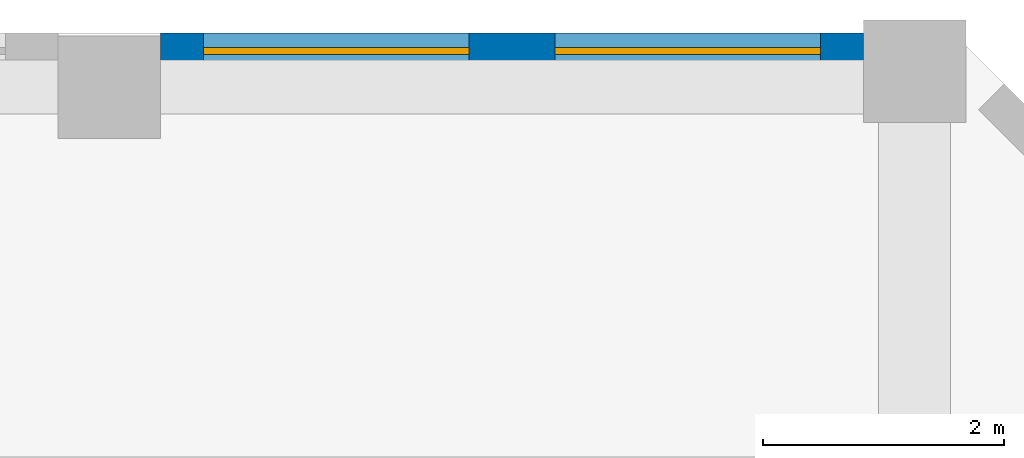
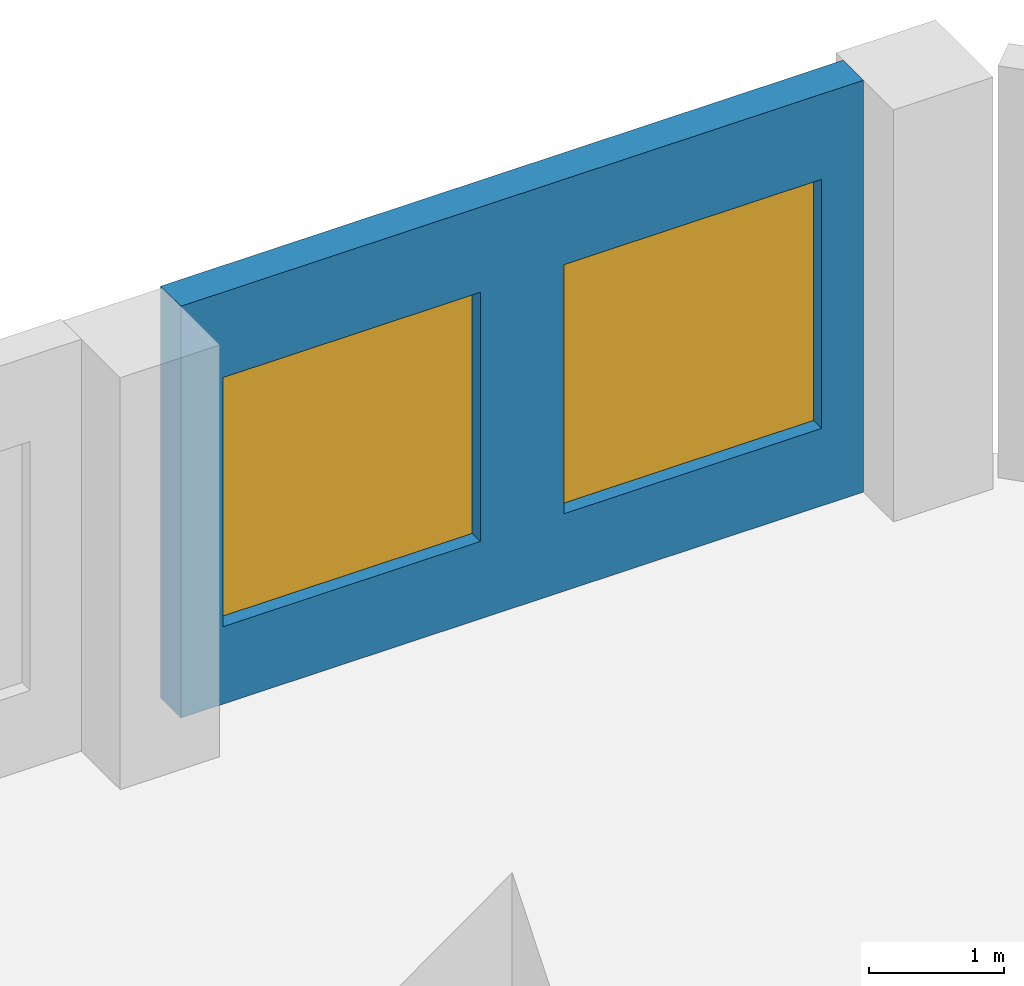
# One storey, part 16 of 25: 2 windows, 1 wall, 2 openings.
"""IFC4 building model written with IfcOpenShell, lengths in metres."""

from ifc_helpers import new_model, si_unit, direction, frame, frame_2d, origin, place, context, subcontext, project, spatial, rectangle, extrude, source, transform, mapped, material, layer, layer_set, type_object, element, fill, save


model = new_model("IFC4")

# Units and contexts
model_context = context("Model", 3, precision=1e-05, world=origin(), true_north=direction((0.0, 1.0)))
body_context = subcontext(model_context, "Body", "Model", "MODEL_VIEW")
ifc_project = project(units=[si_unit("LENGTHUNIT", "METRE"), si_unit("AREAUNIT", "SQUARE_METRE"), si_unit("VOLUMEUNIT", "CUBIC_METRE"), si_unit("PLANEANGLEUNIT", "RADIAN"), si_unit("MASSUNIT", "GRAM", prefix="KILO")], contexts=[model_context])

# Site, building, storey
site_placement = place(None, origin())
site = spatial("IfcSite", under=ifc_project, at=site_placement, CompositionType="ELEMENT")
building_placement = place(site_placement, origin())
building = spatial("IfcBuilding", under=site, at=building_placement, Name="Kilnfold Tower and Market Hall", CompositionType="ELEMENT")
storey_placement = place(building_placement, frame((0.0, 0.0, 120.60009765625)))
storey = spatial("IfcBuildingStorey", under=building, at=storey_placement, Name="L28", CompositionType="ELEMENT", Elevation=120.60009765625)

# Wall, openings, windows
ifc_material_1 = material(Name="Precast concrete C50/60", Category="concrete")
ifc_layer = layer(ifc_material_1, 0.300048828125)
ifc_layer_set = layer_set([ifc_layer], Name="Precast concrete C50/60")
wall_type = type_object("IfcWallType", Name="PRECAST WALL 300", PredefinedType="SOLIDWALL", material=ifc_layer_set)
shared_shape = source(origin(), body_context, "Body", "SweptSolid", [
    extrude(rectangle(XDim=5.831787109375, YDim=0.300048828125, at=frame_2d((2.916015625, 0.0))), origin(), (0.0, 0.0, 1.0), 3.719970703125),
])
wall_placement = place(storey_placement, frame((28.7568359375, 32.85009765625, 0.0), z_axis=(0.0, 0.0, 1.0), x_axis=(-1.0, 0.0, 0.0)))
wall = element("IfcWall", 1, at=wall_placement, inside=storey, type_object=wall_type, Name="External wall L28 N", PredefinedType="SOLIDWALL", context=body_context, shape_type="MappedRepresentation", body=[
    mapped(shared_shape, transform((0.0, 0.0, 0.0))),
])
opening_1_placement = place(wall_placement, frame((0.35791015625, 0.0, 0.699951171875)))
opening_1 = element("IfcOpeningElement", 2, at=opening_1_placement, cuts=wall, Name="Opening W1", PredefinedType="OPENING", context=body_context, shape_type="SweptSolid", body=[
    extrude(rectangle(XDim=2.199951171875, YDim=2.25, at=frame_2d((1.10009765625, 1.125))), frame((0.0, 0.16015625, 0.0), z_axis=(0.0, -1.0, 0.0), x_axis=(1.0, 0.0, 0.0)), (0.0, 0.0, 1.0), 0.320068359375),
])
opening_2_placement = place(wall_placement, frame((3.273681640625, 0.0, 0.699951171875)))
opening_2 = element("IfcOpeningElement", 3, at=opening_2_placement, cuts=wall, Name="Opening W1", PredefinedType="OPENING", context=body_context, shape_type="SweptSolid", body=[
    extrude(rectangle(XDim=2.199951171875, YDim=2.25, at=frame_2d((1.10009765625, 1.125))), frame((0.0, 0.16015625, 0.0), z_axis=(0.0, -1.0, 0.0), x_axis=(1.0, 0.0, 0.0)), (0.0, 0.0, 1.0), 0.320068359375),
])
ifc_material_2 = material(Name="Aluminium frame and double glazing", Category="aluminium")
window_type = type_object("IfcWindowType", Name="WINDOW W1 2200X2250", PartitioningType="SINGLE_PANEL", PredefinedType="WINDOW", material=ifc_material_2)
window_1_placement = place(opening_1_placement, origin())
window_1 = element("IfcWindow", 4, at=window_1_placement, inside=storey, type_object=window_type, Name="Window W1 L28 N-1", OverallHeight=2.25, OverallWidth=2.199951171875, PartitioningType="SINGLE_PANEL", PredefinedType="WINDOW", context=body_context, shape_type="SweptSolid", body=[
    extrude(rectangle(XDim=2.199951171875, YDim=2.25, at=frame_2d((1.10009765625, 1.125))), frame((0.0, 0.030029296875, 0.0), z_axis=(0.0, -1.0, 0.0), x_axis=(1.0, 0.0, 0.0)), (0.0, 0.0, 1.0), 0.06005859375),
])
fill(opening_1, window_1)
window_2_placement = place(opening_2_placement, origin())
window_2 = element("IfcWindow", 5, at=window_2_placement, inside=storey, type_object=window_type, Name="Window W1 L28 N-2", OverallHeight=2.25, OverallWidth=2.199951171875, PartitioningType="SINGLE_PANEL", PredefinedType="WINDOW", context=body_context, shape_type="SweptSolid", body=[
    extrude(rectangle(XDim=2.199951171875, YDim=2.25, at=frame_2d((1.10009765625, 1.125))), frame((0.0, 0.030029296875, 0.0), z_axis=(0.0, -1.0, 0.0), x_axis=(1.0, 0.0, 0.0)), (0.0, 0.0, 1.0), 0.06005859375),
])
fill(opening_2, window_2)

save(model, "model.ifc")
